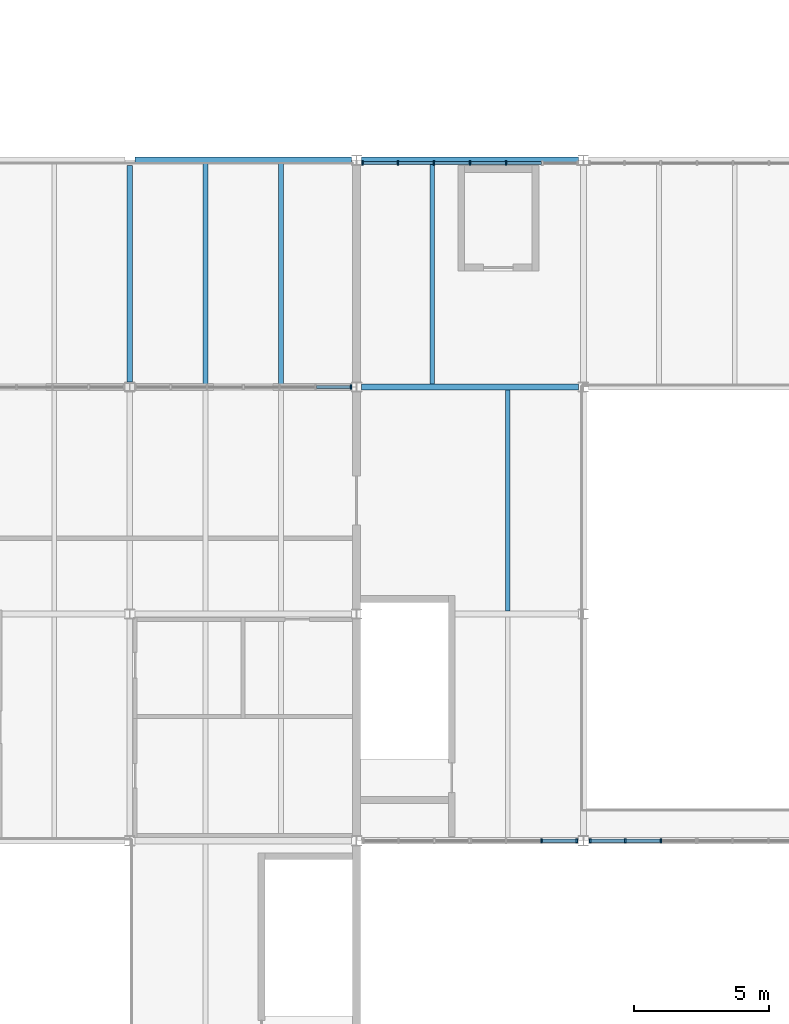
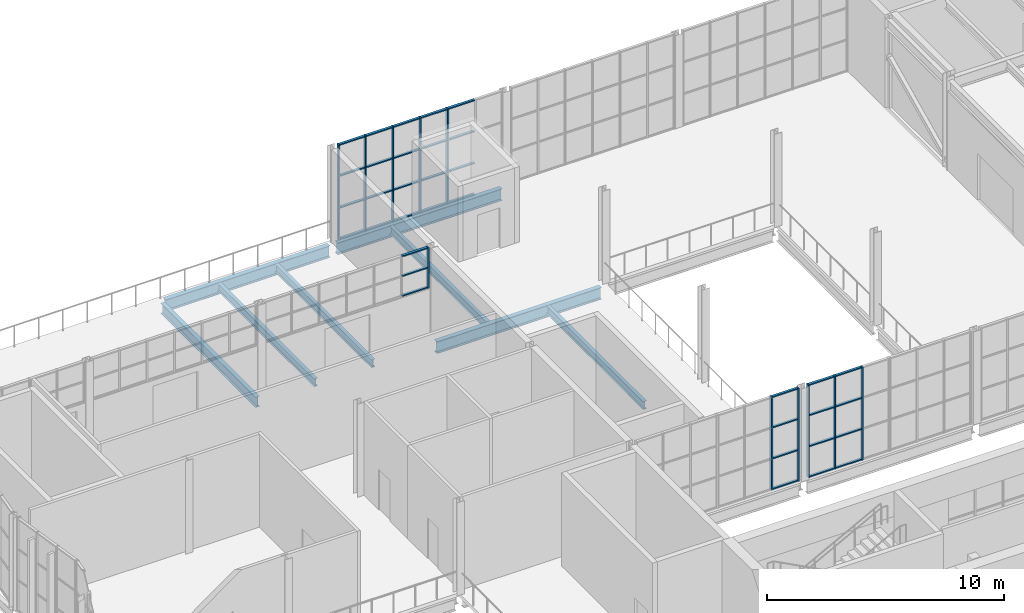
# One storey, part 40 of 116: 46 members, 8 beams, 4 elements without a shape of their own.
"""IFC4 building model written with IfcOpenShell, lengths in metres."""

from ifc_helpers import new_model, si_unit, direction, frame, origin, origin_2d, place, context, subcontext, project, spatial, rectangle, i_section, extrude, material, material_profile, profile_set, type_object, element, aggregate, save


model = new_model("IFC4")

# Units and contexts
model_context = context("Model", 3, precision=1e-05, world=origin(), true_north=direction((0.0, 1.0)))
body_context = subcontext(model_context, "Body", "Model", "MODEL_VIEW")
ifc_project = project(units=[si_unit("LENGTHUNIT", "METRE"), si_unit("AREAUNIT", "SQUARE_METRE"), si_unit("VOLUMEUNIT", "CUBIC_METRE"), si_unit("PLANEANGLEUNIT", "RADIAN"), si_unit("MASSUNIT", "GRAM", prefix="KILO")], contexts=[model_context])

# Site, building, storey
site_placement = place(None, origin())
site = spatial("IfcSite", under=ifc_project, at=site_placement, CompositionType="ELEMENT")
building_placement = place(site_placement, origin())
building = spatial("IfcBuilding", under=site, at=building_placement, Name="Ljudholm Concert House", CompositionType="ELEMENT")
storey_placement = place(building_placement, frame((0.0, 0.0, 10.199951171875)))
storey = spatial("IfcBuildingStorey", under=building, at=storey_placement, Name="L02", CompositionType="ELEMENT", Elevation=10.199951171875)

# Curtain wall, member
ifc_material_1 = material(Name="Aluminium curtain wall with impact-rated laminated glass", Category="aluminium")
curtain_wall_type = type_object("IfcCurtainWallType", Name="CURTAIN WALL 1400", PredefinedType="NOTDEFINED", material=ifc_material_1)
curtain_wall_1_placement = place(storey_placement, origin())
curtain_wall_1 = element("IfcCurtainWall", 1, at=curtain_wall_1_placement, inside=storey, type_object=curtain_wall_type, Name="Terrace curtain wall", PredefinedType="NOTDEFINED")
ifc_material_2 = material(Name="Aluminium extrusion", Category="aluminium")
ifc_material_profile_1 = material_profile(ifc_material_2, rectangle(XDim=0.159912109375, YDim=0.06005859375, at=origin_2d()), Name="MULLION 60x160")
ifc_profile_set_1 = profile_set([ifc_material_profile_1], Name="Aluminium extrusion")
member_type_1 = type_object("IfcMemberType", Name="MULLION 60x160", PredefinedType="MULLION", material=ifc_profile_set_1)
member_1_placement = place(storey_placement, frame((28.9921875, 121.60009765625, 2.699951171875), z_axis=(0.0, 0.0, 1.0), x_axis=(0.0, 1.0, 0.0)))
member_1 = element("IfcMember", 2, at=member_1_placement, type_object=member_type_1, Name="Mullion", PredefinedType="MULLION", context=body_context, shape_type="SweptSolid", body=[
    extrude(rectangle(XDim=0.159912109375, YDim=0.06005859375, at=origin_2d()), origin(), (0.0, 0.0, 1.0), 2.10009765625),
])

# Curtain wall, members
curtain_wall_2_placement = place(storey_placement, origin())
curtain_wall_2 = element("IfcCurtainWall", 3, at=curtain_wall_2_placement, inside=storey, type_object=curtain_wall_type, Name="North curtain wall", PredefinedType="NOTDEFINED")
member_2_placement = place(storey_placement, frame((29.419921875, 129.89990234375, 0.0), z_axis=(0.0, 0.0, 1.0), x_axis=(0.0, 1.0, 0.0)))
member_2 = element("IfcMember", 4, at=member_2_placement, type_object=member_type_1, Name="Mullion", PredefinedType="MULLION", context=body_context, shape_type="SweptSolid", body=[
    extrude(rectangle(XDim=0.159912109375, YDim=0.06005859375, at=origin_2d()), origin(), (0.0, 0.0, 1.0), 4.9111328125),
])
member_3_placement = place(storey_placement, frame((30.7265625, 129.89990234375, 0.0), z_axis=(0.0, 0.0, 1.0), x_axis=(0.0, 1.0, 0.0)))
member_3 = element("IfcMember", 5, at=member_3_placement, type_object=member_type_1, Name="Mullion", PredefinedType="MULLION", context=body_context, shape_type="SweptSolid", body=[
    extrude(rectangle(XDim=0.159912109375, YDim=0.06005859375, at=origin_2d()), origin(), (0.0, 0.0, 1.0), 4.9111328125),
])
member_4_placement = place(storey_placement, frame((32.063232421875, 129.89990234375, 0.0), z_axis=(0.0, 0.0, 1.0), x_axis=(0.0, 1.0, 0.0)))
member_4 = element("IfcMember", 6, at=member_4_placement, type_object=member_type_1, Name="Mullion", PredefinedType="MULLION", context=body_context, shape_type="SweptSolid", body=[
    extrude(rectangle(XDim=0.159912109375, YDim=0.06005859375, at=origin_2d()), origin(), (0.0, 0.0, 1.0), 4.9111328125),
])
member_5_placement = place(storey_placement, frame((33.39990234375, 129.89990234375, 0.0), z_axis=(0.0, 0.0, 1.0), x_axis=(0.0, 1.0, 0.0)))
member_5 = element("IfcMember", 7, at=member_5_placement, type_object=member_type_1, Name="Mullion", PredefinedType="MULLION", context=body_context, shape_type="SweptSolid", body=[
    extrude(rectangle(XDim=0.159912109375, YDim=0.06005859375, at=origin_2d()), origin(), (0.0, 0.0, 1.0), 4.9111328125),
])
member_6_placement = place(storey_placement, frame((34.736572265625, 129.89990234375, 0.0), z_axis=(0.0, 0.0, 1.0), x_axis=(0.0, 1.0, 0.0)))
member_6 = element("IfcMember", 8, at=member_6_placement, type_object=member_type_1, Name="Mullion", PredefinedType="MULLION", context=body_context, shape_type="SweptSolid", body=[
    extrude(rectangle(XDim=0.159912109375, YDim=0.06005859375, at=origin_2d()), origin(), (0.0, 0.0, 1.0), 4.9111328125),
])

curtain_wall_3_placement = place(storey_placement, origin())
curtain_wall_3 = element("IfcCurtainWall", 9, at=curtain_wall_3_placement, inside=storey, type_object=curtain_wall_type, Name="Winter garden curtain wall", PredefinedType="NOTDEFINED")
member_7_placement = place(storey_placement, frame((36.05322265625, 104.800048828125, 0.0), z_axis=(0.0, 0.0, 1.0), x_axis=(0.0, 1.0, 0.0)))
member_7 = element("IfcMember", 10, at=member_7_placement, type_object=member_type_1, Name="Mullion", PredefinedType="MULLION", context=body_context, shape_type="SweptSolid", body=[
    extrude(rectangle(XDim=0.159912109375, YDim=0.06005859375, at=origin_2d()), origin(), (0.0, 0.0, 1.0), 4.800048828125),
])
member_8_placement = place(storey_placement, frame((37.35009765625, 104.800048828125, 0.0), z_axis=(0.0, 0.0, 1.0), x_axis=(0.0, 1.0, 0.0)))
member_8 = element("IfcMember", 11, at=member_8_placement, type_object=member_type_1, Name="Mullion", PredefinedType="MULLION", context=body_context, shape_type="SweptSolid", body=[
    extrude(rectangle(XDim=0.159912109375, YDim=0.06005859375, at=origin_2d()), origin(), (0.0, 0.0, 1.0), 4.800048828125),
])

curtain_wall_4_placement = place(storey_placement, origin())
curtain_wall_4 = element("IfcCurtainWall", 12, at=curtain_wall_4_placement, inside=storey, type_object=curtain_wall_type, Name="Winter garden curtain wall", PredefinedType="NOTDEFINED")
member_9_placement = place(storey_placement, frame((37.85009765625, 104.800048828125, 0.0), z_axis=(0.0, 0.0, 1.0), x_axis=(0.0, 1.0, 0.0)))
member_9 = element("IfcMember", 13, at=member_9_placement, type_object=member_type_1, Name="Mullion", PredefinedType="MULLION", context=body_context, shape_type="SweptSolid", body=[
    extrude(rectangle(XDim=0.159912109375, YDim=0.06005859375, at=origin_2d()), origin(), (0.0, 0.0, 1.0), 4.800048828125),
])
member_10_placement = place(storey_placement, frame((39.146728515625, 104.800048828125, 0.0), z_axis=(0.0, 0.0, 1.0), x_axis=(0.0, 1.0, 0.0)))
member_10 = element("IfcMember", 14, at=member_10_placement, type_object=member_type_1, Name="Mullion", PredefinedType="MULLION", context=body_context, shape_type="SweptSolid", body=[
    extrude(rectangle(XDim=0.159912109375, YDim=0.06005859375, at=origin_2d()), origin(), (0.0, 0.0, 1.0), 4.800048828125),
])
member_11_placement = place(storey_placement, frame((40.473388671875, 104.800048828125, 0.0), z_axis=(0.0, 0.0, 1.0), x_axis=(0.0, 1.0, 0.0)))
member_11 = element("IfcMember", 15, at=member_11_placement, type_object=member_type_1, Name="Mullion", PredefinedType="MULLION", context=body_context, shape_type="SweptSolid", body=[
    extrude(rectangle(XDim=0.159912109375, YDim=0.06005859375, at=origin_2d()), origin(), (0.0, 0.0, 1.0), 4.800048828125),
])

# Beams
ifc_material_3 = material(Name="Steel ASTM A992", Category="steel")
ifc_material_profile_2 = material_profile(ifc_material_3, i_section(OverallWidth=0.177734375, OverallDepth=0.406494140625, WebThickness=0.0078125, FlangeThickness=0.012939453125, FilletRadius=0.01025390625, at=origin_2d()), Name="W16X40")
ifc_profile_set_2 = profile_set([ifc_material_profile_2], Name="Steel ASTM A992")
beam_type_1 = type_object("IfcBeamType", Name="STEEL BEAM W16X40", PredefinedType="BEAM", material=ifc_profile_set_2)
for number, where, z_axis, x_axis, name in (
    (16, (23.60009765625, 121.714599609375, -0.383056640625), (0.0, 1.0, 0.0), (-1.0, 0.0, 0.0), "Secondary beam"),
    (17, (26.39990234375, 121.714599609375, -0.383056640625), (0.0, 1.0, 0.0), (-1.0, 0.0, 0.0), "Secondary beam"),
    (18, (32.0, 121.714599609375, -0.383056640625), (0.0, 1.0, 0.0), (-1.0, 0.0, 0.0), "Secondary beam"),
    (19, (34.800048828125, 113.314453125, -0.383056640625), (0.0, 1.0, 0.0), (-1.0, 0.0, 0.0), "Secondary beam"),
):
    element("IfcBeam", number, at=place(storey_placement, frame(where, z_axis=z_axis, x_axis=x_axis)), inside=storey, type_object=beam_type_1, Name=name, PredefinedType="BEAM", context=body_context, shape_type="SweptSolid", body=[
        extrude(i_section(OverallWidth=0.177734375, OverallDepth=0.406494140625, WebThickness=0.0078125, FlangeThickness=0.012939453125, FilletRadius=0.01025390625, at=origin_2d()), origin(), (0.0, 0.0, 1.0), 8.1708984375),
    ])
ifc_material_4 = material(Name="Steel ASTM A992", Category="steel")
ifc_material_profile_3 = material_profile(ifc_material_4, i_section(OverallWidth=0.209228515625, OverallDepth=0.533447265625, WebThickness=0.01025390625, FlangeThickness=0.015625, FilletRadius=0.012939453125, at=origin_2d()), Name="W21X62")
ifc_profile_set_3 = profile_set([ifc_material_profile_3], Name="Steel ASTM A992")
beam_type_2 = type_object("IfcBeamType", Name="STEEL BEAM W21X62", PredefinedType="BEAM", material=ifc_profile_set_3)
beam_1_placement = place(storey_placement, frame((20.800048828125, 121.78662109375, -0.446533203125), z_axis=(0.0, 1.0, 0.0), x_axis=(-1.0, 0.0, 0.0)))
element("IfcBeam", 20, at=beam_1_placement, inside=storey, type_object=beam_type_2, Name="Floor edge beam", PredefinedType="BEAM", context=body_context, shape_type="SweptSolid", body=[
    extrude(i_section(OverallWidth=0.209228515625, OverallDepth=0.533447265625, WebThickness=0.01025390625, FlangeThickness=0.015625, FilletRadius=0.012939453125, at=origin_2d()), origin(), (0.0, 0.0, 1.0), 8.026611328125),
])
ifc_material_5 = material(Name="Steel ASTM A992", Category="steel")
ifc_material_profile_4 = material_profile(ifc_material_5, i_section(OverallWidth=0.22900390625, OverallDepth=0.612060546875, WebThickness=0.011962890625, FlangeThickness=0.01953125, FilletRadius=0.0126953125, at=origin_2d()), Name="W24X84")
ifc_profile_set_4 = profile_set([ifc_material_profile_4], Name="Steel ASTM A992")
beam_type_3 = type_object("IfcBeamType", Name="STEEL BEAM W24X84", PredefinedType="BEAM", material=ifc_profile_set_4)
beam_2_placement = place(storey_placement, frame((20.986572265625, 130.0, -0.486083984375), z_axis=(1.0, 0.0, 0.0), x_axis=(0.0, 1.0, 0.0)))
element("IfcBeam", 21, at=beam_2_placement, inside=storey, type_object=beam_type_3, Name="Floor girder", PredefinedType="BEAM", context=body_context, shape_type="SweptSolid", body=[
    extrude(i_section(OverallWidth=0.22900390625, OverallDepth=0.612060546875, WebThickness=0.011962890625, FlangeThickness=0.01953125, FilletRadius=0.0126953125, at=origin_2d()), origin(), (0.0, 0.0, 1.0), 8.02685546875),
])
for number, where, z_axis, x_axis, name in (
    (22, (29.38671875, 121.60009765625, -0.486083984375), (1.0, 0.0, 0.0), (0.0, 1.0, 0.0), "Floor girder"),
    (23, (29.38671875, 130.0, -0.486083984375), (1.0, 0.0, 0.0), (0.0, 1.0, 0.0), "Floor girder"),
):
    element("IfcBeam", number, at=place(storey_placement, frame(where, z_axis=z_axis, x_axis=x_axis)), inside=storey, type_object=beam_type_3, Name=name, PredefinedType="BEAM", context=body_context, shape_type="SweptSolid", body=[
        extrude(i_section(OverallWidth=0.22900390625, OverallDepth=0.612060546875, WebThickness=0.011962890625, FlangeThickness=0.01953125, FilletRadius=0.0126953125, at=origin_2d()), origin(), (0.0, 0.0, 1.0), 8.026611328125),
    ])

# Member
ifc_material_6 = material(Name="Aluminium extrusion", Category="aluminium")
ifc_material_profile_5 = material_profile(ifc_material_6, rectangle(XDim=0.1201171875, YDim=0.06005859375, at=origin_2d()), Name="TRANSOM 60x120")
ifc_profile_set_5 = profile_set([ifc_material_profile_5], Name="Aluminium extrusion")
member_type_2 = type_object("IfcMemberType", Name="TRANSOM 60x120", PredefinedType="USERDEFINED", material=ifc_profile_set_5)
member_12_placement = place(storey_placement, frame((27.71142578125, 121.60009765625, 2.72998046875), z_axis=(1.0, 0.0, 0.0), x_axis=(0.0, 1.0, 0.0)))
member_12 = element("IfcMember", 24, at=member_12_placement, type_object=member_type_2, Name="Transom", ObjectType="TRANSOM", PredefinedType="USERDEFINED", context=body_context, shape_type="SweptSolid", body=[
    extrude(rectangle(XDim=0.1201171875, YDim=0.06005859375, at=origin_2d()), origin(), (0.0, 0.0, 1.0), 1.250732421875),
])

member_13_placement = place(storey_placement, frame((27.71142578125, 121.60009765625, 3.75), z_axis=(1.0, 0.0, 0.0), x_axis=(0.0, 1.0, 0.0)))
member_13 = element("IfcMember", 25, at=member_13_placement, type_object=member_type_2, Name="Transom", ObjectType="TRANSOM", PredefinedType="USERDEFINED", context=body_context, shape_type="SweptSolid", body=[
    extrude(rectangle(XDim=0.1201171875, YDim=0.06005859375, at=origin_2d()), origin(), (0.0, 0.0, 1.0), 1.250732421875),
])

member_14_placement = place(storey_placement, frame((27.71142578125, 121.60009765625, 4.77001953125), z_axis=(1.0, 0.0, 0.0), x_axis=(0.0, 1.0, 0.0)))
member_14 = element("IfcMember", 26, at=member_14_placement, type_object=member_type_2, Name="Transom", ObjectType="TRANSOM", PredefinedType="USERDEFINED", context=body_context, shape_type="SweptSolid", body=[
    extrude(rectangle(XDim=0.1201171875, YDim=0.06005859375, at=origin_2d()), origin(), (0.0, 0.0, 1.0), 1.250732421875),
])

aggregate(curtain_wall_1, [member_1, member_12, member_13, member_14])

member_15_placement = place(storey_placement, frame((29.449951171875, 129.89990234375, 0.030029296875), z_axis=(1.0, 0.0, 0.0), x_axis=(0.0, 1.0, 0.0)))
member_15 = element("IfcMember", 27, at=member_15_placement, type_object=member_type_2, Name="Transom", ObjectType="TRANSOM", PredefinedType="USERDEFINED", context=body_context, shape_type="SweptSolid", body=[
    extrude(rectangle(XDim=0.1201171875, YDim=0.06005859375, at=origin_2d()), origin(), (0.0, 0.0, 1.0), 1.246826171875),
])

member_16_placement = place(storey_placement, frame((29.449951171875, 129.89990234375, 1.636962890625), z_axis=(1.0, 0.0, 0.0), x_axis=(0.0, 1.0, 0.0)))
member_16 = element("IfcMember", 28, at=member_16_placement, type_object=member_type_2, Name="Transom", ObjectType="TRANSOM", PredefinedType="USERDEFINED", context=body_context, shape_type="SweptSolid", body=[
    extrude(rectangle(XDim=0.1201171875, YDim=0.06005859375, at=origin_2d()), origin(), (0.0, 0.0, 1.0), 1.246826171875),
])

member_17_placement = place(storey_placement, frame((29.449951171875, 129.89990234375, 3.274169921875), z_axis=(1.0, 0.0, 0.0), x_axis=(0.0, 1.0, 0.0)))
member_17 = element("IfcMember", 29, at=member_17_placement, type_object=member_type_2, Name="Transom", ObjectType="TRANSOM", PredefinedType="USERDEFINED", context=body_context, shape_type="SweptSolid", body=[
    extrude(rectangle(XDim=0.1201171875, YDim=0.06005859375, at=origin_2d()), origin(), (0.0, 0.0, 1.0), 1.246826171875),
])

member_18_placement = place(storey_placement, frame((29.449951171875, 129.89990234375, 4.881103515625), z_axis=(1.0, 0.0, 0.0), x_axis=(0.0, 1.0, 0.0)))
member_18 = element("IfcMember", 30, at=member_18_placement, type_object=member_type_2, Name="Transom", ObjectType="TRANSOM", PredefinedType="USERDEFINED", context=body_context, shape_type="SweptSolid", body=[
    extrude(rectangle(XDim=0.1201171875, YDim=0.06005859375, at=origin_2d()), origin(), (0.0, 0.0, 1.0), 1.246826171875),
])

member_19_placement = place(storey_placement, frame((30.756591796875, 129.89990234375, 0.030029296875), z_axis=(1.0, 0.0, 0.0), x_axis=(0.0, 1.0, 0.0)))
member_19 = element("IfcMember", 31, at=member_19_placement, type_object=member_type_2, Name="Transom", ObjectType="TRANSOM", PredefinedType="USERDEFINED", context=body_context, shape_type="SweptSolid", body=[
    extrude(rectangle(XDim=0.1201171875, YDim=0.06005859375, at=origin_2d()), origin(), (0.0, 0.0, 1.0), 1.27685546875),
])

member_20_placement = place(storey_placement, frame((30.756591796875, 129.89990234375, 1.636962890625), z_axis=(1.0, 0.0, 0.0), x_axis=(0.0, 1.0, 0.0)))
member_20 = element("IfcMember", 32, at=member_20_placement, type_object=member_type_2, Name="Transom", ObjectType="TRANSOM", PredefinedType="USERDEFINED", context=body_context, shape_type="SweptSolid", body=[
    extrude(rectangle(XDim=0.1201171875, YDim=0.06005859375, at=origin_2d()), origin(), (0.0, 0.0, 1.0), 1.27685546875),
])

member_21_placement = place(storey_placement, frame((30.756591796875, 129.89990234375, 3.274169921875), z_axis=(1.0, 0.0, 0.0), x_axis=(0.0, 1.0, 0.0)))
member_21 = element("IfcMember", 33, at=member_21_placement, type_object=member_type_2, Name="Transom", ObjectType="TRANSOM", PredefinedType="USERDEFINED", context=body_context, shape_type="SweptSolid", body=[
    extrude(rectangle(XDim=0.1201171875, YDim=0.06005859375, at=origin_2d()), origin(), (0.0, 0.0, 1.0), 1.27685546875),
])

member_22_placement = place(storey_placement, frame((30.756591796875, 129.89990234375, 4.881103515625), z_axis=(1.0, 0.0, 0.0), x_axis=(0.0, 1.0, 0.0)))
member_22 = element("IfcMember", 34, at=member_22_placement, type_object=member_type_2, Name="Transom", ObjectType="TRANSOM", PredefinedType="USERDEFINED", context=body_context, shape_type="SweptSolid", body=[
    extrude(rectangle(XDim=0.1201171875, YDim=0.06005859375, at=origin_2d()), origin(), (0.0, 0.0, 1.0), 1.27685546875),
])

member_23_placement = place(storey_placement, frame((32.09326171875, 129.89990234375, 0.030029296875), z_axis=(1.0, 0.0, 0.0), x_axis=(0.0, 1.0, 0.0)))
member_23 = element("IfcMember", 35, at=member_23_placement, type_object=member_type_2, Name="Transom", ObjectType="TRANSOM", PredefinedType="USERDEFINED", context=body_context, shape_type="SweptSolid", body=[
    extrude(rectangle(XDim=0.1201171875, YDim=0.06005859375, at=origin_2d()), origin(), (0.0, 0.0, 1.0), 1.27685546875),
])

member_24_placement = place(storey_placement, frame((32.09326171875, 129.89990234375, 1.636962890625), z_axis=(1.0, 0.0, 0.0), x_axis=(0.0, 1.0, 0.0)))
member_24 = element("IfcMember", 36, at=member_24_placement, type_object=member_type_2, Name="Transom", ObjectType="TRANSOM", PredefinedType="USERDEFINED", context=body_context, shape_type="SweptSolid", body=[
    extrude(rectangle(XDim=0.1201171875, YDim=0.06005859375, at=origin_2d()), origin(), (0.0, 0.0, 1.0), 1.27685546875),
])

member_25_placement = place(storey_placement, frame((32.09326171875, 129.89990234375, 3.274169921875), z_axis=(1.0, 0.0, 0.0), x_axis=(0.0, 1.0, 0.0)))
member_25 = element("IfcMember", 37, at=member_25_placement, type_object=member_type_2, Name="Transom", ObjectType="TRANSOM", PredefinedType="USERDEFINED", context=body_context, shape_type="SweptSolid", body=[
    extrude(rectangle(XDim=0.1201171875, YDim=0.06005859375, at=origin_2d()), origin(), (0.0, 0.0, 1.0), 1.27685546875),
])

member_26_placement = place(storey_placement, frame((32.09326171875, 129.89990234375, 4.881103515625), z_axis=(1.0, 0.0, 0.0), x_axis=(0.0, 1.0, 0.0)))
member_26 = element("IfcMember", 38, at=member_26_placement, type_object=member_type_2, Name="Transom", ObjectType="TRANSOM", PredefinedType="USERDEFINED", context=body_context, shape_type="SweptSolid", body=[
    extrude(rectangle(XDim=0.1201171875, YDim=0.06005859375, at=origin_2d()), origin(), (0.0, 0.0, 1.0), 1.27685546875),
])

member_27_placement = place(storey_placement, frame((33.429931640625, 129.89990234375, 0.030029296875), z_axis=(1.0, 0.0, 0.0), x_axis=(0.0, 1.0, 0.0)))
member_27 = element("IfcMember", 39, at=member_27_placement, type_object=member_type_2, Name="Transom", ObjectType="TRANSOM", PredefinedType="USERDEFINED", context=body_context, shape_type="SweptSolid", body=[
    extrude(rectangle(XDim=0.1201171875, YDim=0.06005859375, at=origin_2d()), origin(), (0.0, 0.0, 1.0), 1.27685546875),
])

member_28_placement = place(storey_placement, frame((33.429931640625, 129.89990234375, 1.636962890625), z_axis=(1.0, 0.0, 0.0), x_axis=(0.0, 1.0, 0.0)))
member_28 = element("IfcMember", 40, at=member_28_placement, type_object=member_type_2, Name="Transom", ObjectType="TRANSOM", PredefinedType="USERDEFINED", context=body_context, shape_type="SweptSolid", body=[
    extrude(rectangle(XDim=0.1201171875, YDim=0.06005859375, at=origin_2d()), origin(), (0.0, 0.0, 1.0), 1.27685546875),
])

member_29_placement = place(storey_placement, frame((33.429931640625, 129.89990234375, 3.274169921875), z_axis=(1.0, 0.0, 0.0), x_axis=(0.0, 1.0, 0.0)))
member_29 = element("IfcMember", 41, at=member_29_placement, type_object=member_type_2, Name="Transom", ObjectType="TRANSOM", PredefinedType="USERDEFINED", context=body_context, shape_type="SweptSolid", body=[
    extrude(rectangle(XDim=0.1201171875, YDim=0.06005859375, at=origin_2d()), origin(), (0.0, 0.0, 1.0), 1.27685546875),
])

member_30_placement = place(storey_placement, frame((33.429931640625, 129.89990234375, 4.881103515625), z_axis=(1.0, 0.0, 0.0), x_axis=(0.0, 1.0, 0.0)))
member_30 = element("IfcMember", 42, at=member_30_placement, type_object=member_type_2, Name="Transom", ObjectType="TRANSOM", PredefinedType="USERDEFINED", context=body_context, shape_type="SweptSolid", body=[
    extrude(rectangle(XDim=0.1201171875, YDim=0.06005859375, at=origin_2d()), origin(), (0.0, 0.0, 1.0), 1.27685546875),
])

member_31_placement = place(storey_placement, frame((34.7666015625, 129.89990234375, 0.030029296875), z_axis=(1.0, 0.0, 0.0), x_axis=(0.0, 1.0, 0.0)))
member_31 = element("IfcMember", 43, at=member_31_placement, type_object=member_type_2, Name="Transom", ObjectType="TRANSOM", PredefinedType="USERDEFINED", context=body_context, shape_type="SweptSolid", body=[
    extrude(rectangle(XDim=0.1201171875, YDim=0.06005859375, at=origin_2d()), origin(), (0.0, 0.0, 1.0), 1.276611328125),
])

member_32_placement = place(storey_placement, frame((34.7666015625, 129.89990234375, 1.636962890625), z_axis=(1.0, 0.0, 0.0), x_axis=(0.0, 1.0, 0.0)))
member_32 = element("IfcMember", 44, at=member_32_placement, type_object=member_type_2, Name="Transom", ObjectType="TRANSOM", PredefinedType="USERDEFINED", context=body_context, shape_type="SweptSolid", body=[
    extrude(rectangle(XDim=0.1201171875, YDim=0.06005859375, at=origin_2d()), origin(), (0.0, 0.0, 1.0), 1.276611328125),
])

member_33_placement = place(storey_placement, frame((34.7666015625, 129.89990234375, 3.274169921875), z_axis=(1.0, 0.0, 0.0), x_axis=(0.0, 1.0, 0.0)))
member_33 = element("IfcMember", 45, at=member_33_placement, type_object=member_type_2, Name="Transom", ObjectType="TRANSOM", PredefinedType="USERDEFINED", context=body_context, shape_type="SweptSolid", body=[
    extrude(rectangle(XDim=0.1201171875, YDim=0.06005859375, at=origin_2d()), origin(), (0.0, 0.0, 1.0), 1.276611328125),
])

member_34_placement = place(storey_placement, frame((34.7666015625, 129.89990234375, 4.881103515625), z_axis=(1.0, 0.0, 0.0), x_axis=(0.0, 1.0, 0.0)))
member_34 = element("IfcMember", 46, at=member_34_placement, type_object=member_type_2, Name="Transom", ObjectType="TRANSOM", PredefinedType="USERDEFINED", context=body_context, shape_type="SweptSolid", body=[
    extrude(rectangle(XDim=0.1201171875, YDim=0.06005859375, at=origin_2d()), origin(), (0.0, 0.0, 1.0), 1.276611328125),
])

aggregate(curtain_wall_2, [member_2, member_3, member_4, member_5, member_6, member_15, member_16, member_17, member_18, member_19, member_20, member_21, member_22, member_23, member_24, member_25, member_26, member_27, member_28, member_29, member_30, member_31, member_32, member_33, member_34])

member_35_placement = place(storey_placement, frame((36.083251953125, 104.800048828125, 0.030029296875), z_axis=(1.0, 0.0, 0.0), x_axis=(0.0, 1.0, 0.0)))
member_35 = element("IfcMember", 47, at=member_35_placement, type_object=member_type_2, Name="Transom", ObjectType="TRANSOM", PredefinedType="USERDEFINED", context=body_context, shape_type="SweptSolid", body=[
    extrude(rectangle(XDim=0.1201171875, YDim=0.06005859375, at=origin_2d()), origin(), (0.0, 0.0, 1.0), 1.23681640625),
])

member_36_placement = place(storey_placement, frame((36.083251953125, 104.800048828125, 1.60009765625), z_axis=(1.0, 0.0, 0.0), x_axis=(0.0, 1.0, 0.0)))
member_36 = element("IfcMember", 48, at=member_36_placement, type_object=member_type_2, Name="Transom", ObjectType="TRANSOM", PredefinedType="USERDEFINED", context=body_context, shape_type="SweptSolid", body=[
    extrude(rectangle(XDim=0.1201171875, YDim=0.06005859375, at=origin_2d()), origin(), (0.0, 0.0, 1.0), 1.23681640625),
])

member_37_placement = place(storey_placement, frame((36.083251953125, 104.800048828125, 3.199951171875), z_axis=(1.0, 0.0, 0.0), x_axis=(0.0, 1.0, 0.0)))
member_37 = element("IfcMember", 49, at=member_37_placement, type_object=member_type_2, Name="Transom", ObjectType="TRANSOM", PredefinedType="USERDEFINED", context=body_context, shape_type="SweptSolid", body=[
    extrude(rectangle(XDim=0.1201171875, YDim=0.06005859375, at=origin_2d()), origin(), (0.0, 0.0, 1.0), 1.23681640625),
])

member_38_placement = place(storey_placement, frame((36.083251953125, 104.800048828125, 4.77001953125), z_axis=(1.0, 0.0, 0.0), x_axis=(0.0, 1.0, 0.0)))
member_38 = element("IfcMember", 50, at=member_38_placement, type_object=member_type_2, Name="Transom", ObjectType="TRANSOM", PredefinedType="USERDEFINED", context=body_context, shape_type="SweptSolid", body=[
    extrude(rectangle(XDim=0.1201171875, YDim=0.06005859375, at=origin_2d()), origin(), (0.0, 0.0, 1.0), 1.23681640625),
])

aggregate(curtain_wall_3, [member_7, member_8, member_35, member_36, member_37, member_38])

member_39_placement = place(storey_placement, frame((37.8798828125, 104.800048828125, 0.030029296875), z_axis=(1.0, 0.0, 0.0), x_axis=(0.0, 1.0, 0.0)))
member_39 = element("IfcMember", 51, at=member_39_placement, type_object=member_type_2, Name="Transom", ObjectType="TRANSOM", PredefinedType="USERDEFINED", context=body_context, shape_type="SweptSolid", body=[
    extrude(rectangle(XDim=0.1201171875, YDim=0.06005859375, at=origin_2d()), origin(), (0.0, 0.0, 1.0), 1.23681640625),
])

member_40_placement = place(storey_placement, frame((37.8798828125, 104.800048828125, 1.60009765625), z_axis=(1.0, 0.0, 0.0), x_axis=(0.0, 1.0, 0.0)))
member_40 = element("IfcMember", 52, at=member_40_placement, type_object=member_type_2, Name="Transom", ObjectType="TRANSOM", PredefinedType="USERDEFINED", context=body_context, shape_type="SweptSolid", body=[
    extrude(rectangle(XDim=0.1201171875, YDim=0.06005859375, at=origin_2d()), origin(), (0.0, 0.0, 1.0), 1.23681640625),
])

member_41_placement = place(storey_placement, frame((37.8798828125, 104.800048828125, 3.199951171875), z_axis=(1.0, 0.0, 0.0), x_axis=(0.0, 1.0, 0.0)))
member_41 = element("IfcMember", 53, at=member_41_placement, type_object=member_type_2, Name="Transom", ObjectType="TRANSOM", PredefinedType="USERDEFINED", context=body_context, shape_type="SweptSolid", body=[
    extrude(rectangle(XDim=0.1201171875, YDim=0.06005859375, at=origin_2d()), origin(), (0.0, 0.0, 1.0), 1.23681640625),
])

member_42_placement = place(storey_placement, frame((37.8798828125, 104.800048828125, 4.77001953125), z_axis=(1.0, 0.0, 0.0), x_axis=(0.0, 1.0, 0.0)))
member_42 = element("IfcMember", 54, at=member_42_placement, type_object=member_type_2, Name="Transom", ObjectType="TRANSOM", PredefinedType="USERDEFINED", context=body_context, shape_type="SweptSolid", body=[
    extrude(rectangle(XDim=0.1201171875, YDim=0.06005859375, at=origin_2d()), origin(), (0.0, 0.0, 1.0), 1.23681640625),
])

member_43_placement = place(storey_placement, frame((39.1767578125, 104.800048828125, 0.030029296875), z_axis=(1.0, 0.0, 0.0), x_axis=(0.0, 1.0, 0.0)))
member_43 = element("IfcMember", 55, at=member_43_placement, type_object=member_type_2, Name="Transom", ObjectType="TRANSOM", PredefinedType="USERDEFINED", context=body_context, shape_type="SweptSolid", body=[
    extrude(rectangle(XDim=0.1201171875, YDim=0.06005859375, at=origin_2d()), origin(), (0.0, 0.0, 1.0), 1.2666015625),
])

member_44_placement = place(storey_placement, frame((39.1767578125, 104.800048828125, 1.60009765625), z_axis=(1.0, 0.0, 0.0), x_axis=(0.0, 1.0, 0.0)))
member_44 = element("IfcMember", 56, at=member_44_placement, type_object=member_type_2, Name="Transom", ObjectType="TRANSOM", PredefinedType="USERDEFINED", context=body_context, shape_type="SweptSolid", body=[
    extrude(rectangle(XDim=0.1201171875, YDim=0.06005859375, at=origin_2d()), origin(), (0.0, 0.0, 1.0), 1.2666015625),
])

member_45_placement = place(storey_placement, frame((39.1767578125, 104.800048828125, 3.199951171875), z_axis=(1.0, 0.0, 0.0), x_axis=(0.0, 1.0, 0.0)))
member_45 = element("IfcMember", 57, at=member_45_placement, type_object=member_type_2, Name="Transom", ObjectType="TRANSOM", PredefinedType="USERDEFINED", context=body_context, shape_type="SweptSolid", body=[
    extrude(rectangle(XDim=0.1201171875, YDim=0.06005859375, at=origin_2d()), origin(), (0.0, 0.0, 1.0), 1.2666015625),
])

member_46_placement = place(storey_placement, frame((39.1767578125, 104.800048828125, 4.77001953125), z_axis=(1.0, 0.0, 0.0), x_axis=(0.0, 1.0, 0.0)))
member_46 = element("IfcMember", 58, at=member_46_placement, type_object=member_type_2, Name="Transom", ObjectType="TRANSOM", PredefinedType="USERDEFINED", context=body_context, shape_type="SweptSolid", body=[
    extrude(rectangle(XDim=0.1201171875, YDim=0.06005859375, at=origin_2d()), origin(), (0.0, 0.0, 1.0), 1.2666015625),
])

aggregate(curtain_wall_4, [member_9, member_10, member_11, member_39, member_40, member_41, member_42, member_43, member_44, member_45, member_46])

save(model, "model.ifc")
